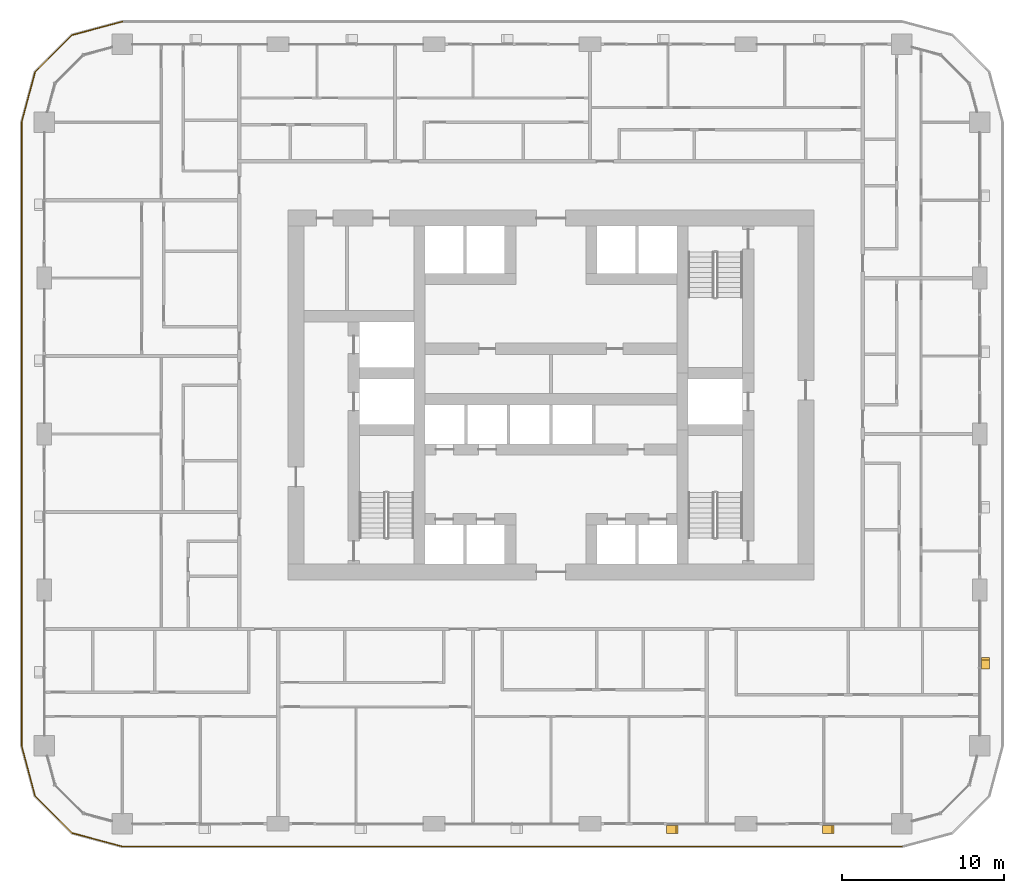
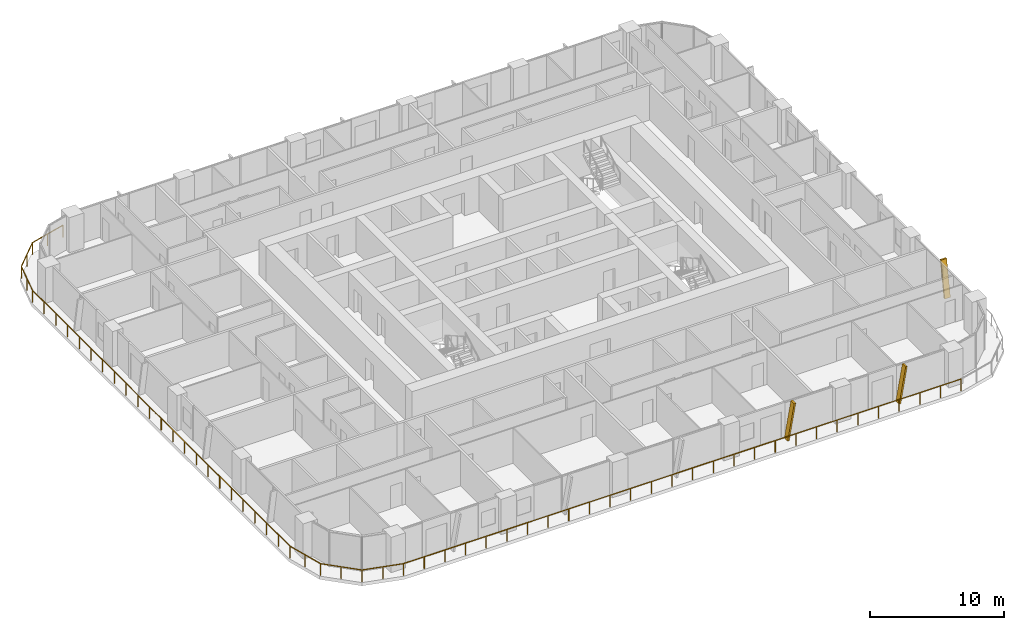
# One storey, part 18 of 21: 3 shading devices, 1 railing.
"""IFC4 building model written with IfcOpenShell, lengths in metres."""

from ifc_helpers import new_model, si_unit, direction, frame, origin, origin_2d, place, context, subcontext, project, spatial, polyline, circle, outline, extrude, material, type_object, element, save


model = new_model("IFC4")

# Units and contexts
model_context = context("Model", 3, precision=1e-05, world=origin(), true_north=direction((0.0, 1.0)))
body_context = subcontext(model_context, "Body", "Model", "MODEL_VIEW")
ifc_project = project(units=[si_unit("LENGTHUNIT", "METRE"), si_unit("AREAUNIT", "SQUARE_METRE"), si_unit("VOLUMEUNIT", "CUBIC_METRE"), si_unit("PLANEANGLEUNIT", "RADIAN"), si_unit("MASSUNIT", "GRAM", prefix="KILO")], contexts=[model_context])

# Site, building, storey
site_placement = place(None, origin())
site = spatial("IfcSite", under=ifc_project, at=site_placement, CompositionType="ELEMENT")
building_placement = place(site_placement, origin())
building = spatial("IfcBuilding", under=site, at=building_placement, Name="Madar Terraces", CompositionType="ELEMENT")
storey_placement = place(building_placement, frame((0.0, 0.0, 39.89990234375)))
storey = spatial("IfcBuildingStorey", under=building, at=storey_placement, Name="L09", CompositionType="ELEMENT", Elevation=39.89990234375)

# Railing
ifc_material_1 = material(Name="Glass, safety glazing, with stainless steel posts", Category="steel")
railing_type = type_object("IfcRailingType", Name="Balcony glass guard 1100", PredefinedType="GUARDRAIL", material=ifc_material_1)
railing_placement = place(storey_placement, frame((4.800048828125, 49.39990234375, 0.0)))
element("IfcRailing", 1, at=railing_placement, inside=storey, type_object=railing_type, Name="Balcony guard", PredefinedType="GUARDRAIL", context=body_context, shape_type="SweptSolid", body=[
    extrude(circle(Radius=0.02392578125, at=origin_2d()), frame((0.0, 0.0, 1.076171875), z_axis=(-0.9659337912, -0.258789317819, 0.0), x_axis=(0.258789317819, -0.9659337912, 0.0)), (0.0, 0.0, 1.0), 3.20947265625),
    extrude(circle(Radius=0.02392578125, at=origin_2d()), frame((-3.10009765625, -0.83056640625, 1.076171875), z_axis=(-0.707106781187, -0.707106781187, 0.0), x_axis=(0.707106781187, -0.707106781187, 0.0)), (0.0, 0.0, 1.0), 3.209228515625),
    extrude(circle(Radius=0.02392578125, at=origin_2d()), frame((-5.369384765625, -3.099853515625, 1.076171875), z_axis=(-0.258789317819, -0.9659337912, 0.0), x_axis=(0.9659337912, -0.258789317819, 0.0)), (0.0, 0.0, 1.0), 3.20947265625),
    extrude(circle(Radius=0.02392578125, at=origin_2d()), frame((-6.199951171875, -6.199951171875, 1.076171875), z_axis=(0.0, -1.0, 0.0), x_axis=(1.0, 0.0, 0.0)), (0.0, 0.0, 1.0), 38.39990234375),
    extrude(circle(Radius=0.02392578125, at=origin_2d()), frame((-6.199951171875, -44.599853515625, 1.076171875), z_axis=(0.258789317819, -0.9659337912, 0.0), x_axis=(0.9659337912, 0.258789317819, 0.0)), (0.0, 0.0, 1.0), 3.20947265625),
    extrude(circle(Radius=0.02392578125, at=origin_2d()), frame((-5.369384765625, -47.699951171875, 1.076171875), z_axis=(0.707106781187, -0.707106781187, 0.0), x_axis=(0.707106781187, 0.707106781187, 0.0)), (0.0, 0.0, 1.0), 3.209228515625),
    extrude(circle(Radius=0.02392578125, at=origin_2d()), frame((-3.10009765625, -49.96923828125, 1.076171875), z_axis=(0.9659337912, -0.258789317819, 0.0), x_axis=(0.258789317819, 0.9659337912, 0.0)), (0.0, 0.0, 1.0), 3.20947265625),
    extrude(circle(Radius=0.02392578125, at=origin_2d()), frame((0.0, -50.7998046875, 1.076171875), z_axis=(1.0, 0.0, 0.0), x_axis=(0.0, 1.0, 0.0)), (0.0, 0.0, 1.0), 48.0),
    extrude(circle(Radius=0.02099609375, at=origin_2d()), origin(), (0.0, 0.0, 1.0), 1.052001953125),
    extrude(circle(Radius=0.02099609375, at=origin_2d()), frame((-1.550048828125, -0.415283203125, 0.0)), (0.0, 0.0, 1.0), 1.052001953125),
    extrude(circle(Radius=0.02099609375, at=origin_2d()), frame((-3.10009765625, -0.83056640625, 0.0)), (0.0, 0.0, 1.0), 1.052001953125),
    extrude(circle(Radius=0.02099609375, at=origin_2d()), frame((-4.23486328125, -1.96533203125, 0.0)), (0.0, 0.0, 1.0), 1.052001953125),
    extrude(circle(Radius=0.02099609375, at=origin_2d()), frame((-5.369384765625, -3.099853515625, 0.0)), (0.0, 0.0, 1.0), 1.052001953125),
    extrude(circle(Radius=0.02099609375, at=origin_2d()), frame((-5.78466796875, -4.64990234375, 0.0)), (0.0, 0.0, 1.0), 1.052001953125),
    extrude(circle(Radius=0.02099609375, at=origin_2d()), frame((-6.199951171875, -6.199951171875, 0.0)), (0.0, 0.0, 1.0), 1.052001953125),
    extrude(circle(Radius=0.02099609375, at=origin_2d()), frame((-6.199951171875, -7.9453125, 0.0)), (0.0, 0.0, 1.0), 1.052001953125),
    extrude(circle(Radius=0.02099609375, at=origin_2d()), frame((-6.199951171875, -9.69091796875, 0.0)), (0.0, 0.0, 1.0), 1.052001953125),
    extrude(circle(Radius=0.02099609375, at=origin_2d()), frame((-6.199951171875, -11.436279296875, 0.0)), (0.0, 0.0, 1.0), 1.052001953125),
    extrude(circle(Radius=0.02099609375, at=origin_2d()), frame((-6.199951171875, -13.181640625, 0.0)), (0.0, 0.0, 1.0), 1.052001953125),
    extrude(circle(Radius=0.02099609375, at=origin_2d()), frame((-6.199951171875, -14.92724609375, 0.0)), (0.0, 0.0, 1.0), 1.052001953125),
    extrude(circle(Radius=0.02099609375, at=origin_2d()), frame((-6.199951171875, -16.672607421875, 0.0)), (0.0, 0.0, 1.0), 1.052001953125),
    extrude(circle(Radius=0.02099609375, at=origin_2d()), frame((-6.199951171875, -18.418212890625, 0.0)), (0.0, 0.0, 1.0), 1.052001953125),
    extrude(circle(Radius=0.02099609375, at=origin_2d()), frame((-6.199951171875, -20.16357421875, 0.0)), (0.0, 0.0, 1.0), 1.052001953125),
    extrude(circle(Radius=0.02099609375, at=origin_2d()), frame((-6.199951171875, -21.908935546875, 0.0)), (0.0, 0.0, 1.0), 1.052001953125),
    extrude(circle(Radius=0.02099609375, at=origin_2d()), frame((-6.199951171875, -23.654541015625, 0.0)), (0.0, 0.0, 1.0), 1.052001953125),
    extrude(circle(Radius=0.02099609375, at=origin_2d()), frame((-6.199951171875, -25.39990234375, 0.0)), (0.0, 0.0, 1.0), 1.052001953125),
    extrude(circle(Radius=0.02099609375, at=origin_2d()), frame((-6.199951171875, -27.145263671875, 0.0)), (0.0, 0.0, 1.0), 1.052001953125),
    extrude(circle(Radius=0.02099609375, at=origin_2d()), frame((-6.199951171875, -28.890869140625, 0.0)), (0.0, 0.0, 1.0), 1.052001953125),
    extrude(circle(Radius=0.02099609375, at=origin_2d()), frame((-6.199951171875, -30.63623046875, 0.0)), (0.0, 0.0, 1.0), 1.052001953125),
    extrude(circle(Radius=0.02099609375, at=origin_2d()), frame((-6.199951171875, -32.381591796875, 0.0)), (0.0, 0.0, 1.0), 1.052001953125),
    extrude(circle(Radius=0.02099609375, at=origin_2d()), frame((-6.199951171875, -34.127197265625, 0.0)), (0.0, 0.0, 1.0), 1.052001953125),
    extrude(circle(Radius=0.02099609375, at=origin_2d()), frame((-6.199951171875, -35.87255859375, 0.0)), (0.0, 0.0, 1.0), 1.052001953125),
    extrude(circle(Radius=0.02099609375, at=origin_2d()), frame((-6.199951171875, -37.6181640625, 0.0)), (0.0, 0.0, 1.0), 1.052001953125),
    extrude(circle(Radius=0.02099609375, at=origin_2d()), frame((-6.199951171875, -39.363525390625, 0.0)), (0.0, 0.0, 1.0), 1.052001953125),
    extrude(circle(Radius=0.02099609375, at=origin_2d()), frame((-6.199951171875, -41.10888671875, 0.0)), (0.0, 0.0, 1.0), 1.052001953125),
    extrude(circle(Radius=0.02099609375, at=origin_2d()), frame((-6.199951171875, -42.8544921875, 0.0)), (0.0, 0.0, 1.0), 1.052001953125),
    extrude(circle(Radius=0.02099609375, at=origin_2d()), frame((-6.199951171875, -44.599853515625, 0.0)), (0.0, 0.0, 1.0), 1.052001953125),
    extrude(circle(Radius=0.02099609375, at=origin_2d()), frame((-5.78466796875, -46.14990234375, 0.0)), (0.0, 0.0, 1.0), 1.052001953125),
    extrude(circle(Radius=0.02099609375, at=origin_2d()), frame((-5.369384765625, -47.699951171875, 0.0)), (0.0, 0.0, 1.0), 1.052001953125),
    extrude(circle(Radius=0.02099609375, at=origin_2d()), frame((-4.23486328125, -48.83447265625, 0.0)), (0.0, 0.0, 1.0), 1.052001953125),
    extrude(circle(Radius=0.02099609375, at=origin_2d()), frame((-3.10009765625, -49.96923828125, 0.0)), (0.0, 0.0, 1.0), 1.052001953125),
    extrude(circle(Radius=0.02099609375, at=origin_2d()), frame((-1.550048828125, -50.384521484375, 0.0)), (0.0, 0.0, 1.0), 1.052001953125),
    extrude(circle(Radius=0.02099609375, at=origin_2d()), frame((0.0, -50.7998046875, 0.0)), (0.0, 0.0, 1.0), 1.052001953125),
    extrude(circle(Radius=0.02099609375, at=origin_2d()), frame((1.77783203125, -50.7998046875, 0.0)), (0.0, 0.0, 1.0), 1.052001953125),
    extrude(circle(Radius=0.02099609375, at=origin_2d()), frame((3.5556640625, -50.7998046875, 0.0)), (0.0, 0.0, 1.0), 1.052001953125),
    extrude(circle(Radius=0.02099609375, at=origin_2d()), frame((5.333251953125, -50.7998046875, 0.0)), (0.0, 0.0, 1.0), 1.052001953125),
    extrude(circle(Radius=0.02099609375, at=origin_2d()), frame((7.111083984375, -50.7998046875, 0.0)), (0.0, 0.0, 1.0), 1.052001953125),
    extrude(circle(Radius=0.02099609375, at=origin_2d()), frame((8.888916015625, -50.7998046875, 0.0)), (0.0, 0.0, 1.0), 1.052001953125),
    extrude(circle(Radius=0.02099609375, at=origin_2d()), frame((10.666748046875, -50.7998046875, 0.0)), (0.0, 0.0, 1.0), 1.052001953125),
    extrude(circle(Radius=0.02099609375, at=origin_2d()), frame((12.4443359375, -50.7998046875, 0.0)), (0.0, 0.0, 1.0), 1.052001953125),
    extrude(circle(Radius=0.02099609375, at=origin_2d()), frame((14.22216796875, -50.7998046875, 0.0)), (0.0, 0.0, 1.0), 1.052001953125),
    extrude(circle(Radius=0.02099609375, at=origin_2d()), frame((16.0, -50.7998046875, 0.0)), (0.0, 0.0, 1.0), 1.052001953125),
    extrude(circle(Radius=0.02099609375, at=origin_2d()), frame((17.77783203125, -50.7998046875, 0.0)), (0.0, 0.0, 1.0), 1.052001953125),
    extrude(circle(Radius=0.02099609375, at=origin_2d()), frame((19.5556640625, -50.7998046875, 0.0)), (0.0, 0.0, 1.0), 1.052001953125),
    extrude(circle(Radius=0.02099609375, at=origin_2d()), frame((21.333251953125, -50.7998046875, 0.0)), (0.0, 0.0, 1.0), 1.052001953125),
    extrude(circle(Radius=0.02099609375, at=origin_2d()), frame((23.111083984375, -50.7998046875, 0.0)), (0.0, 0.0, 1.0), 1.052001953125),
    extrude(circle(Radius=0.02099609375, at=origin_2d()), frame((24.888916015625, -50.7998046875, 0.0)), (0.0, 0.0, 1.0), 1.052001953125),
    extrude(circle(Radius=0.02099609375, at=origin_2d()), frame((26.666748046875, -50.7998046875, 0.0)), (0.0, 0.0, 1.0), 1.052001953125),
    extrude(circle(Radius=0.02099609375, at=origin_2d()), frame((28.4443359375, -50.7998046875, 0.0)), (0.0, 0.0, 1.0), 1.052001953125),
    extrude(circle(Radius=0.02099609375, at=origin_2d()), frame((30.22216796875, -50.7998046875, 0.0)), (0.0, 0.0, 1.0), 1.052001953125),
    extrude(circle(Radius=0.02099609375, at=origin_2d()), frame((32.0, -50.7998046875, 0.0)), (0.0, 0.0, 1.0), 1.052001953125),
    extrude(circle(Radius=0.02099609375, at=origin_2d()), frame((33.77783203125, -50.7998046875, 0.0)), (0.0, 0.0, 1.0), 1.052001953125),
    extrude(circle(Radius=0.02099609375, at=origin_2d()), frame((35.5556640625, -50.7998046875, 0.0)), (0.0, 0.0, 1.0), 1.052001953125),
    extrude(circle(Radius=0.02099609375, at=origin_2d()), frame((37.333251953125, -50.7998046875, 0.0)), (0.0, 0.0, 1.0), 1.052001953125),
    extrude(circle(Radius=0.02099609375, at=origin_2d()), frame((39.111083984375, -50.7998046875, 0.0)), (0.0, 0.0, 1.0), 1.052001953125),
    extrude(circle(Radius=0.02099609375, at=origin_2d()), frame((40.888916015625, -50.7998046875, 0.0)), (0.0, 0.0, 1.0), 1.052001953125),
    extrude(circle(Radius=0.02099609375, at=origin_2d()), frame((42.666748046875, -50.7998046875, 0.0)), (0.0, 0.0, 1.0), 1.052001953125),
    extrude(circle(Radius=0.02099609375, at=origin_2d()), frame((44.4443359375, -50.7998046875, 0.0)), (0.0, 0.0, 1.0), 1.052001953125),
    extrude(circle(Radius=0.02099609375, at=origin_2d()), frame((46.22216796875, -50.7998046875, 0.0)), (0.0, 0.0, 1.0), 1.052001953125),
    extrude(circle(Radius=0.02099609375, at=origin_2d()), frame((48.0, -50.7998046875, 0.0)), (0.0, 0.0, 1.0), 1.052001953125),
])

# Shading devices
ifc_material_2 = material(Name="Aluminium, black anodised", Category="aluminium")
shading_device_type = type_object("IfcShadingDeviceType", Name="Facade fin blade 140 x 500", PredefinedType="USERDEFINED", material=ifc_material_2)
shading_device_1_placement = place(storey_placement, frame((38.330078125, -0.35009765625, 0.0), z_axis=(0.0, 0.0, 1.0), x_axis=(1.0, 0.0, 0.0)))
element("IfcShadingDevice", 2, at=shading_device_1_placement, inside=storey, type_object=shading_device_type, Name="FIN L09 S4", ObjectType="FIN", PredefinedType="USERDEFINED", context=body_context, shape_type="SweptSolid", body=[
    extrude(outline(polyline([(0.0, 0.0), (0.139892578125, 0.0), (0.704345703125, 3.2001953125), (0.564208984375, 3.2001953125), (0.0, 0.0)])), frame((0.0, 0.25, 0.0), z_axis=(0.0, -1.0, 0.0), x_axis=(1.0, 0.0, 0.0)), (0.0, 0.0, 1.0), 0.5),
])
shading_device_2_placement = place(storey_placement, frame((47.929931640625, -0.35009765625, 0.0), z_axis=(0.0, 0.0, 1.0), x_axis=(1.0, 0.0, 0.0)))
element("IfcShadingDevice", 3, at=shading_device_2_placement, inside=storey, type_object=shading_device_type, Name="FIN L09 S5", ObjectType="FIN", PredefinedType="USERDEFINED", context=body_context, shape_type="SweptSolid", body=[
    extrude(outline(polyline([(0.0, 0.0), (0.14013671875, 0.0), (0.704345703125, 3.2001953125), (0.564208984375, 3.2001953125), (0.0, 0.0)])), frame((0.0, 0.25, 0.0), z_axis=(0.0, -1.0, 0.0), x_axis=(1.0, 0.0, 0.0)), (0.0, 0.0, 1.0), 0.5),
])
shading_device_3_placement = place(storey_placement, frame((57.949951171875, 9.530029296875, 0.0), z_axis=(0.0, 0.0, 1.0), x_axis=(0.0, 1.0, 0.0)))
element("IfcShadingDevice", 4, at=shading_device_3_placement, inside=storey, type_object=shading_device_type, Name="FIN L09 E1", ObjectType="FIN", PredefinedType="USERDEFINED", context=body_context, shape_type="SweptSolid", body=[
    extrude(outline(polyline([(0.0, 0.0), (0.139892578125, 0.0), (0.704345703125, 3.2001953125), (0.564208984375, 3.2001953125), (0.0, 0.0)])), frame((0.0, 0.25, 0.0), z_axis=(0.0, -1.0, 0.0), x_axis=(1.0, 0.0, 0.0)), (0.0, 0.0, 1.0), 0.5),
])

save(model, "model.ifc")
